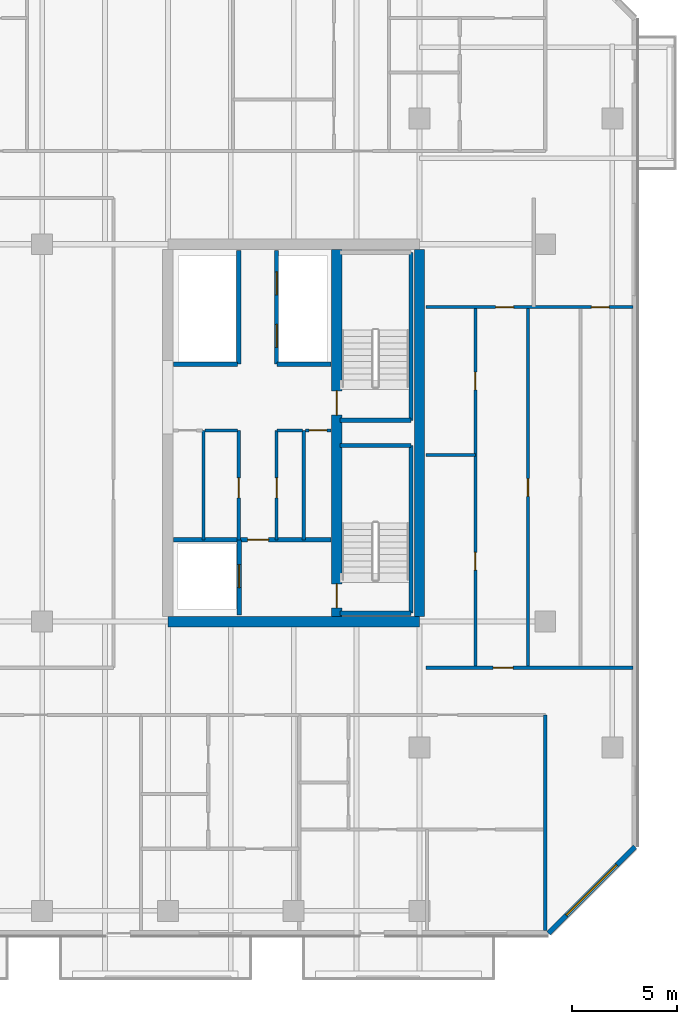
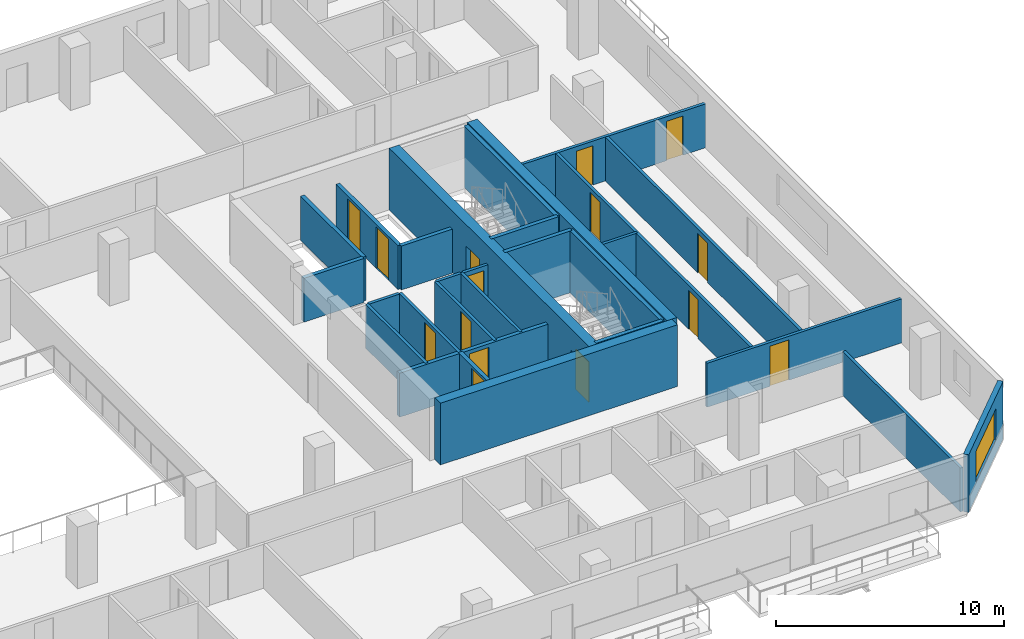
# One storey, part 15 of 23: 28 walls, 15 doors, 1 window, 16 openings.
"""IFC4 building model written with IfcOpenShell, lengths in metres."""

from ifc_helpers import new_model, si_unit, direction, frame, frame_2d, origin, place, context, subcontext, project, spatial, rectangle, extrude, material, layer, layer_set, type_object, element, fill, save


model = new_model("IFC4")

# Units and contexts
model_context = context("Model", 3, precision=1e-05, world=origin(), true_north=direction((0.0, 1.0)))
body_context = subcontext(model_context, "Body", "Model", "MODEL_VIEW")
ifc_project = project(units=[si_unit("LENGTHUNIT", "METRE"), si_unit("AREAUNIT", "SQUARE_METRE"), si_unit("VOLUMEUNIT", "CUBIC_METRE"), si_unit("PLANEANGLEUNIT", "RADIAN"), si_unit("MASSUNIT", "GRAM", prefix="KILO")], contexts=[model_context])

# Site, building, storey
site_placement = place(None, origin())
site = spatial("IfcSite", under=ifc_project, at=site_placement, CompositionType="ELEMENT")
building_placement = place(site_placement, origin())
building = spatial("IfcBuilding", under=site, at=building_placement, Name="Tanjung Sevakor Pilgrim Tower", CompositionType="ELEMENT")
storey_placement = place(building_placement, frame((0.0, 0.0, 88.77001953125)))
storey = spatial("IfcBuildingStorey", under=building, at=storey_placement, Name="L24", CompositionType="ELEMENT", Elevation=88.77001953125)

# Walls
ifc_material_1 = material(Name="Concrete C60/75", Category="concrete")
ifc_layer_1 = layer(ifc_material_1, 0.5)
ifc_layer_set_1 = layer_set([ifc_layer_1], Name="WALL-CW-500")
wall_type_1 = type_object("IfcWallType", Name="WALL-CW-500", PredefinedType="SHEAR", material=ifc_layer_set_1)
wall_1_placement = place(storey_placement, frame((78.0, 24.60009765625, 0.0), z_axis=(0.0, 0.0, 1.0), x_axis=(1.0, 0.0, 0.0)))
element("IfcWall", 1, at=wall_1_placement, inside=storey, type_object=wall_type_1, Name="L24 E Core South Shear Wall", PredefinedType="SHEAR", context=body_context, shape_type="SweptSolid", body=[
    extrude(rectangle(XDim=12.0, YDim=0.5, at=frame_2d((6.0, 0.0))), origin(), (0.0, 0.0, 1.0), 3.300048828125),
])
wall_2_placement = place(storey_placement, frame((90.0, 24.85009765625, 0.0), z_axis=(0.0, 0.0, 1.0), x_axis=(0.0, 1.0, 0.0)))
element("IfcWall", 2, at=wall_2_placement, inside=storey, type_object=wall_type_1, Name="L24 E Core Outer Shear Wall", PredefinedType="SHEAR", context=body_context, shape_type="SweptSolid", body=[
    extrude(rectangle(XDim=17.5, YDim=0.5, at=frame_2d((8.75, 0.0))), origin(), (0.0, 0.0, 1.0), 3.300048828125),
])

# Wall, openings, doors
wall_3_placement = place(storey_placement, frame((86.050048828125, 24.85009765625, 0.0), z_axis=(0.0, 0.0, 1.0), x_axis=(0.0, 1.0, 0.0)))
wall_3 = element("IfcWall", 3, at=wall_3_placement, inside=storey, type_object=wall_type_1, Name="L24 E Core Stair Spine Wall", PredefinedType="SHEAR", context=body_context, shape_type="SweptSolid", body=[
    extrude(rectangle(XDim=17.5, YDim=0.5, at=frame_2d((8.75, 0.0))), origin(), (0.0, 0.0, 1.0), 3.300048828125),
])
opening_1_placement = place(wall_3_placement, frame((0.39990234375, 0.0, 0.0)))
opening_1 = element("IfcOpeningElement", 4, at=opening_1_placement, cuts=wall_3, Name="Opening ID-ST1", PredefinedType="OPENING", context=body_context, shape_type="SweptSolid", body=[
    extrude(rectangle(XDim=1.14990234375, YDim=2.14990234375, at=frame_2d((0.574951171875, 1.074951171875))), frame((0.0, 0.260009765625, 0.0), z_axis=(0.0, -1.0, 0.0), x_axis=(1.0, 0.0, 0.0)), (0.0, 0.0, 1.0), 0.52001953125),
])
opening_2_placement = place(wall_3_placement, frame((9.60009765625, 0.0, 0.0)))
opening_2 = element("IfcOpeningElement", 5, at=opening_2_placement, cuts=wall_3, Name="Opening ID-ST1", PredefinedType="OPENING", context=body_context, shape_type="SweptSolid", body=[
    extrude(rectangle(XDim=1.14990234375, YDim=2.14990234375, at=frame_2d((0.574951171875, 1.074951171875))), frame((0.0, 0.260009765625, 0.0), z_axis=(0.0, -1.0, 0.0), x_axis=(1.0, 0.0, 0.0)), (0.0, 0.0, 1.0), 0.52001953125),
])
ifc_material_2 = material(Name="Fire-Rated Steel S355J2", Category="steel")
door_type_1 = type_object("IfcDoorType", Name="DT-FIRE-1150", OperationType="NOTDEFINED", PredefinedType="DOOR", material=ifc_material_2)
door_1_placement = place(opening_1_placement, origin())
door_1 = element("IfcDoor", 6, at=door_1_placement, inside=storey, type_object=door_type_1, Name="L24 TS-E1 Stair Fire Door", OperationType="SINGLE_SWING_LEFT", OverallHeight=2.14990234375, OverallWidth=1.14990234375, PredefinedType="DOOR", context=body_context, shape_type="SweptSolid", body=[
    extrude(rectangle(XDim=1.14990234375, YDim=2.14990234375, at=frame_2d((0.574951171875, 1.074951171875))), frame((0.0, 0.02490234375, 0.0), z_axis=(0.0, -1.0, 0.0), x_axis=(1.0, 0.0, 0.0)), (0.0, 0.0, 1.0), 0.050048828125),
])
fill(opening_1, door_1)
door_2_placement = place(opening_2_placement, origin())
door_2 = element("IfcDoor", 7, at=door_2_placement, inside=storey, type_object=door_type_1, Name="L24 TS-E2 Stair Fire Door", OperationType="SINGLE_SWING_RIGHT", OverallHeight=2.14990234375, OverallWidth=1.14990234375, PredefinedType="DOOR", context=body_context, shape_type="SweptSolid", body=[
    extrude(rectangle(XDim=1.14990234375, YDim=2.14990234375, at=frame_2d((0.574951171875, 1.074951171875))), frame((0.0, 0.02490234375, 0.0), z_axis=(0.0, -1.0, 0.0), x_axis=(1.0, 0.0, 0.0)), (0.0, 0.0, 1.0), 0.050048828125),
])
fill(opening_2, door_2)

# Wall
ifc_material_3 = material(Name="Concrete C40/50", Category="concrete")
ifc_layer_2 = layer(ifc_material_3, 0.14990234375)
ifc_layer_set_2 = layer_set([ifc_layer_2], Name="WT-COMP-150")
wall_type_2 = type_object("IfcWallType", Name="WT-COMP-150", PredefinedType="SOLIDWALL", material=ifc_layer_set_2)
wall_4_placement = place(storey_placement, frame((84.47998046875, 28.5, 0.0), z_axis=(0.0, 0.0, 1.0), x_axis=(0.0, 1.0, 0.0)))
element("IfcWall", 8, at=wall_4_placement, inside=storey, type_object=wall_type_2, Name="L24 Partition IW-L24-017", PredefinedType="SOLIDWALL", context=body_context, shape_type="SweptSolid", body=[
    extrude(rectangle(XDim=5.219970703125, YDim=0.14990234375, at=frame_2d((2.60986328125, 0.0))), origin(), (0.0, 0.0, 1.0), 2.35009765625),
])

# Wall, opening, door
wall_5_placement = place(storey_placement, frame((84.550048828125, 33.719970703125, 0.0), z_axis=(0.0, 0.0, 1.0), x_axis=(1.0, 0.0, 0.0)))
wall_5 = element("IfcWall", 9, at=wall_5_placement, inside=storey, type_object=wall_type_2, Name="L24 Partition IW-L24-018", PredefinedType="SOLIDWALL", context=body_context, shape_type="SweptSolid", body=[
    extrude(rectangle(XDim=1.22998046875, YDim=0.14990234375, at=frame_2d((0.614990234375, 0.0))), origin(), (0.0, 0.0, 1.0), 2.35009765625),
])
opening_3_placement = place(wall_5_placement, frame((0.179931640625, 0.0, 0.0)))
opening_3 = element("IfcOpeningElement", 10, at=opening_3_placement, cuts=wall_5, Name="Opening ID-FD3", PredefinedType="OPENING", context=body_context, shape_type="SweptSolid", body=[
    extrude(rectangle(XDim=0.85009765625, YDim=2.10009765625, at=frame_2d((0.425048828125, 1.050048828125))), frame((0.0, 0.0849609375, 0.0), z_axis=(0.0, -1.0, 0.0), x_axis=(1.0, 0.0, 0.0)), (0.0, 0.0, 1.0), 0.169921875),
])
ifc_material_4 = material(Name="Fire-Rated Timber", Category="wood")
door_type_2 = type_object("IfcDoorType", Name="DT-FIRE-850", OperationType="NOTDEFINED", PredefinedType="DOOR", material=ifc_material_4)
door_3_placement = place(opening_3_placement, origin())
door_3 = element("IfcDoor", 11, at=door_3_placement, inside=storey, type_object=door_type_2, Name="L24 Cleaner Store Door", OperationType="SINGLE_SWING_LEFT", OverallHeight=2.10009765625, OverallWidth=0.85009765625, PredefinedType="DOOR", context=body_context, shape_type="SweptSolid", body=[
    extrude(rectangle(XDim=0.85009765625, YDim=2.10009765625, at=frame_2d((0.425048828125, 1.050048828125))), frame((0.0, 0.02490234375, 0.0), z_axis=(0.0, -1.0, 0.0), x_axis=(1.0, 0.0, 0.0)), (0.0, 0.0, 1.0), 0.050048828125),
])
fill(opening_3, door_3)

# Wall
wall_6_placement = place(storey_placement, frame((83.199951171875, 33.719970703125, 0.0), z_axis=(0.0, 0.0, 1.0), x_axis=(1.0, 0.0, 0.0)))
element("IfcWall", 12, at=wall_6_placement, inside=storey, type_object=wall_type_2, Name="L24 Partition IW-L24-019", PredefinedType="SOLIDWALL", context=body_context, shape_type="SweptSolid", body=[
    extrude(rectangle(XDim=1.219970703125, YDim=0.14990234375, at=frame_2d((0.60986328125, 0.0))), origin(), (0.0, 0.0, 1.0), 2.35009765625),
])

# Wall, opening, door
wall_7_placement = place(storey_placement, frame((83.179931640625, 28.5, 0.0), z_axis=(0.0, 0.0, 1.0), x_axis=(0.0, 1.0, 0.0)))
wall_7 = element("IfcWall", 13, at=wall_7_placement, inside=storey, type_object=wall_type_2, Name="L24 Partition IW-L24-020", PredefinedType="SOLIDWALL", context=body_context, shape_type="SweptSolid", body=[
    extrude(rectangle(XDim=5.219970703125, YDim=0.14990234375, at=frame_2d((2.60986328125, 0.0))), origin(), (0.0, 0.0, 1.0), 2.35009765625),
])
opening_4_placement = place(wall_7_placement, frame((2.0, 0.0, 0.0)))
opening_4 = element("IfcOpeningElement", 14, at=opening_4_placement, cuts=wall_7, Name="Opening ID-FD2", PredefinedType="OPENING", context=body_context, shape_type="SweptSolid", body=[
    extrude(rectangle(XDim=0.949951171875, YDim=2.14990234375, at=frame_2d((0.47509765625, 1.074951171875))), frame((0.0, 0.0849609375, 0.0), z_axis=(0.0, -1.0, 0.0), x_axis=(1.0, 0.0, 0.0)), (0.0, 0.0, 1.0), 0.169921875),
])
ifc_material_5 = material(Name="Fire-Rated Timber", Category="wood")
door_type_3 = type_object("IfcDoorType", Name="DT-FIRE-950", OperationType="NOTDEFINED", PredefinedType="DOOR", material=ifc_material_5)
door_4_placement = place(opening_4_placement, origin())
door_4 = element("IfcDoor", 15, at=door_4_placement, inside=storey, type_object=door_type_3, Name="L24 Housekeeping Pantry Door", OperationType="SINGLE_SWING_RIGHT", OverallHeight=2.14990234375, OverallWidth=0.949951171875, PredefinedType="DOOR", context=body_context, shape_type="SweptSolid", body=[
    extrude(rectangle(XDim=0.949951171875, YDim=2.14990234375, at=frame_2d((0.47509765625, 1.074951171875))), frame((0.0, 0.02490234375, 0.0), z_axis=(0.0, -1.0, 0.0), x_axis=(1.0, 0.0, 0.0)), (0.0, 0.0, 1.0), 0.050048828125),
])
fill(opening_4, door_4)

# Walls
wall_8_placement = place(storey_placement, frame((79.699951171875, 28.5, 0.0), z_axis=(0.0, 0.0, 1.0), x_axis=(0.0, 1.0, 0.0)))
element("IfcWall", 16, at=wall_8_placement, inside=storey, type_object=wall_type_2, Name="L24 Partition IW-L24-021", PredefinedType="SOLIDWALL", context=body_context, shape_type="SweptSolid", body=[
    extrude(rectangle(XDim=5.219970703125, YDim=0.14990234375, at=frame_2d((2.60986328125, 0.0))), origin(), (0.0, 0.0, 1.0), 2.35009765625),
])
wall_9_placement = place(storey_placement, frame((79.760009765625, 33.719970703125, 0.0), z_axis=(0.0, 0.0, 1.0), x_axis=(1.0, 0.0, 0.0)))
element("IfcWall", 17, at=wall_9_placement, inside=storey, type_object=wall_type_2, Name="L24 Partition IW-L24-022", PredefinedType="SOLIDWALL", context=body_context, shape_type="SweptSolid", body=[
    extrude(rectangle(XDim=1.56005859375, YDim=0.14990234375, at=frame_2d((0.780029296875, 0.0))), origin(), (0.0, 0.0, 1.0), 2.35009765625),
])

# Wall, opening, door
wall_10_placement = place(storey_placement, frame((81.3798828125, 28.5, 0.0), z_axis=(0.0, 0.0, 1.0), x_axis=(0.0, 1.0, 0.0)))
wall_10 = element("IfcWall", 18, at=wall_10_placement, inside=storey, type_object=wall_type_2, Name="L24 Partition IW-L24-024", PredefinedType="SOLIDWALL", context=body_context, shape_type="SweptSolid", body=[
    extrude(rectangle(XDim=5.219970703125, YDim=0.14990234375, at=frame_2d((2.60986328125, 0.0))), origin(), (0.0, 0.0, 1.0), 2.35009765625),
])
opening_5_placement = place(wall_10_placement, frame((2.0, 0.0, 0.0)))
opening_5 = element("IfcOpeningElement", 19, at=opening_5_placement, cuts=wall_10, Name="Opening ID-FD2", PredefinedType="OPENING", context=body_context, shape_type="SweptSolid", body=[
    extrude(rectangle(XDim=0.949951171875, YDim=2.14990234375, at=frame_2d((0.47509765625, 1.074951171875))), frame((0.0, 0.0849609375, 0.0), z_axis=(0.0, -1.0, 0.0), x_axis=(1.0, 0.0, 0.0)), (0.0, 0.0, 1.0), 0.169921875),
])
door_5_placement = place(opening_5_placement, origin())
door_5 = element("IfcDoor", 20, at=door_5_placement, inside=storey, type_object=door_type_3, Name="L24 Accessible WC Door", OperationType="SINGLE_SWING_RIGHT", OverallHeight=2.14990234375, OverallWidth=0.949951171875, PredefinedType="DOOR", context=body_context, shape_type="SweptSolid", body=[
    extrude(rectangle(XDim=0.949951171875, YDim=2.14990234375, at=frame_2d((0.47509765625, 1.074951171875))), frame((0.0, 0.02490234375, 0.0), z_axis=(0.0, -1.0, 0.0), x_axis=(1.0, 0.0, 0.0)), (0.0, 0.0, 1.0), 0.050048828125),
])
fill(opening_5, door_5)

wall_11_placement = place(storey_placement, frame((90.320068359375, 22.39990234375, 0.0), z_axis=(0.0, 0.0, 1.0), x_axis=(1.0, 0.0, 0.0)))
wall_11 = element("IfcWall", 21, at=wall_11_placement, inside=storey, type_object=wall_type_2, Name="L24 Partition IW-L24-044", PredefinedType="SOLIDWALL", context=body_context, shape_type="SweptSolid", body=[
    extrude(rectangle(XDim=9.869873046875, YDim=0.14990234375, at=frame_2d((4.93505859375, 0.0))), origin(), (0.0, 0.0, 1.0), 2.35009765625),
])
opening_6_placement = place(wall_11_placement, frame((3.193359375, 0.0, 0.0)))
opening_6 = element("IfcOpeningElement", 22, at=opening_6_placement, cuts=wall_11, Name="Opening ID-FD2", PredefinedType="OPENING", context=body_context, shape_type="SweptSolid", body=[
    extrude(rectangle(XDim=0.949951171875, YDim=2.14990234375, at=frame_2d((0.47509765625, 1.074951171875))), frame((0.0, 0.0849609375, 0.0), z_axis=(0.0, -1.0, 0.0), x_axis=(1.0, 0.0, 0.0)), (0.0, 0.0, 1.0), 0.169921875),
])
door_6_placement = place(opening_6_placement, origin())
door_6 = element("IfcDoor", 23, at=door_6_placement, inside=storey, type_object=door_type_3, Name="Suite Entrance", OperationType="SINGLE_SWING_RIGHT", OverallHeight=2.14990234375, OverallWidth=0.949951171875, PredefinedType="DOOR", context=body_context, shape_type="SweptSolid", body=[
    extrude(rectangle(XDim=0.949951171875, YDim=2.14990234375, at=frame_2d((0.47509765625, 1.074951171875))), frame((0.0, 0.02490234375, 0.0), z_axis=(0.0, -1.0, 0.0), x_axis=(1.0, 0.0, 0.0)), (0.0, 0.0, 1.0), 0.050048828125),
])
fill(opening_6, door_6)

# Wall
wall_12_placement = place(storey_placement, frame((96.0, 9.85009765625, 0.0), z_axis=(0.0, 0.0, 1.0), x_axis=(0.0, 1.0, 0.0)))
element("IfcWall", 24, at=wall_12_placement, inside=storey, type_object=wall_type_2, Name="L24 Partition IW-L24-064", PredefinedType="SOLIDWALL", context=body_context, shape_type="SweptSolid", body=[
    extrude(rectangle(XDim=10.2998046875, YDim=0.14990234375, at=frame_2d((5.14990234375, 0.0))), origin(), (0.0, 0.0, 1.0), 2.35009765625),
])

# Wall, opening, window
ifc_material_6 = material(Name="Precast concrete C45/55", Category="concrete")
ifc_layer_3 = layer(ifc_material_6, 0.25)
ifc_layer_set_3 = layer_set([ifc_layer_3], Name="WT-EW-STN3")
wall_type_3 = type_object("IfcWallType", Name="WT-EW-STN3", PredefinedType="SOLIDWALL", material=ifc_layer_set_3)
wall_13_placement = place(storey_placement, frame((96.148193359375, 9.72509765625, 0.0), z_axis=(0.0, 0.0, 1.0), x_axis=(0.707106781187, 0.707106781187, 0.0)))
wall_13 = element("IfcWall", 25, at=wall_13_placement, inside=storey, type_object=wall_type_3, Name="L24 MAIN Sculpted Corner Wall 5", PredefinedType="SOLIDWALL", context=body_context, shape_type="SweptSolid", body=[
    extrude(rectangle(XDim=5.8359375, YDim=0.25, at=frame_2d((2.91796875, 0.0))), origin(), (0.0, 0.0, 1.0), 3.080078125),
])
opening_7_placement = place(wall_13_placement, frame((1.218017578125, 0.0, 0.780029296875)))
opening_7 = element("IfcOpeningElement", 26, at=opening_7_placement, cuts=wall_13, Name="Opening WN-CHM-1660", PredefinedType="OPENING", context=body_context, shape_type="SweptSolid", body=[
    extrude(rectangle(XDim=3.39990234375, YDim=1.659912109375, at=frame_2d((1.699951171875, 0.830078125))), frame((0.0, 0.135009765625, 0.0), z_axis=(0.0, -1.0, 0.0), x_axis=(1.0, 0.0, 0.0)), (0.0, 0.0, 1.0), 0.27001953125),
])
ifc_material_7 = material(Name="Thermally Broken Aluminium and Low-E Glass", Category="aluminium")
window_type = type_object("IfcWindowType", Name="WTYP-WN-CHM-1660", PartitioningType="DOUBLE_PANEL_VERTICAL", PredefinedType="WINDOW", material=ifc_material_7)
window_placement = place(opening_7_placement, origin())
window = element("IfcWindow", 27, at=window_placement, inside=storey, type_object=window_type, Name="L24 Facade Window 01", OverallHeight=1.659912109375, OverallWidth=3.39990234375, PartitioningType="SINGLE_PANEL", PredefinedType="WINDOW", context=body_context, shape_type="SweptSolid", body=[
    extrude(rectangle(XDim=3.39990234375, YDim=1.659912109375, at=frame_2d((1.699951171875, 0.830078125))), frame((0.0, 0.030029296875, 0.0), z_axis=(0.0, -1.0, 0.0), x_axis=(1.0, 0.0, 0.0)), (0.0, 0.0, 1.0), 0.06005859375),
])
fill(opening_7, window)

# Walls
ifc_material_8 = material(Name="Concrete C40/50", Category="concrete")
ifc_layer_4 = layer(ifc_material_8, 0.199951171875)
ifc_layer_set_4 = layer_set([ifc_layer_4], Name="WT-FIRE-200")
wall_type_4 = type_object("IfcWallType", Name="WT-FIRE-200", PredefinedType="SOLIDWALL", material=ifc_layer_set_4)
wall_14_placement = place(storey_placement, frame((86.199951171875, 25.0, 0.0), z_axis=(0.0, 0.0, 1.0), x_axis=(1.0, 0.0, 0.0)))
element("IfcWall", 28, at=wall_14_placement, inside=storey, type_object=wall_type_4, Name="L24 TS-E1 Shaft Wall 1", PredefinedType="SOLIDWALL", context=body_context, shape_type="SweptSolid", body=[
    extrude(rectangle(XDim=3.400146484375, YDim=0.199951171875, at=frame_2d((1.7001953125, 0.0))), origin(), (0.0, 0.0, 1.0), 3.300048828125),
])
wall_15_placement = place(storey_placement, frame((89.60009765625, 25.0, 0.0), z_axis=(0.0, 0.0, 1.0), x_axis=(0.0, 1.0, 0.0)))
element("IfcWall", 29, at=wall_15_placement, inside=storey, type_object=wall_type_4, Name="L24 TS-E1 Shaft Wall 2", PredefinedType="SOLIDWALL", context=body_context, shape_type="SweptSolid", body=[
    extrude(rectangle(XDim=8.0, YDim=0.199951171875, at=frame_2d((4.0, 0.0))), origin(), (0.0, 0.0, 1.0), 3.300048828125),
])
for number, where, z_axis, x_axis, name in (
    (30, (89.60009765625, 33.0, 0.0), (0.0, 0.0, 1.0), (-1.0, 0.0, 0.0), "L24 TS-E1 Shaft Wall 3"),
    (31, (86.199951171875, 34.199951171875, 0.0), (0.0, 0.0, 1.0), (1.0, 0.0, 0.0), "L24 TS-E2 Shaft Wall 1"),
):
    element("IfcWall", number, at=place(storey_placement, frame(where, z_axis=z_axis, x_axis=x_axis)), inside=storey, type_object=wall_type_4, Name=name, PredefinedType="SOLIDWALL", context=body_context, shape_type="SweptSolid", body=[
        extrude(rectangle(XDim=3.400146484375, YDim=0.199951171875, at=frame_2d((1.7001953125, 0.0))), origin(), (0.0, 0.0, 1.0), 3.300048828125),
    ])
wall_16_placement = place(storey_placement, frame((89.60009765625, 34.199951171875, 0.0), z_axis=(0.0, 0.0, 1.0), x_axis=(0.0, 1.0, 0.0)))
element("IfcWall", 32, at=wall_16_placement, inside=storey, type_object=wall_type_4, Name="L24 TS-E2 Shaft Wall 2", PredefinedType="SOLIDWALL", context=body_context, shape_type="SweptSolid", body=[
    extrude(rectangle(XDim=8.0, YDim=0.199951171875, at=frame_2d((4.0, 0.0))), origin(), (0.0, 0.0, 1.0), 3.300048828125),
])

# Wall, opening, door
ifc_material_9 = material(Name="Concrete C40/50", Category="concrete")
ifc_layer_5 = layer(ifc_material_9, 0.199951171875)
ifc_layer_set_5 = layer_set([ifc_layer_5], Name="WT-FPRT-200")
wall_type_5 = type_object("IfcWallType", Name="WT-FPRT-200", PredefinedType="SOLIDWALL", material=ifc_layer_set_5)
wall_17_placement = place(storey_placement, frame((81.39990234375, 24.919921875, 0.0), z_axis=(0.0, 0.0, 1.0), x_axis=(0.0, 1.0, 0.0)))
wall_17 = element("IfcWall", 33, at=wall_17_placement, inside=storey, type_object=wall_type_5, Name="L24 Partition IW-L24-015", PredefinedType="SOLIDWALL", context=body_context, shape_type="SweptSolid", body=[
    extrude(rectangle(XDim=3.580078125, YDim=0.199951171875, at=frame_2d((1.7900390625, 0.0))), origin(), (0.0, 0.0, 1.0), 2.35009765625),
])
opening_8_placement = place(wall_17_placement, frame((1.300048828125, 0.0, 0.0)))
opening_8 = element("IfcOpeningElement", 34, at=opening_8_placement, cuts=wall_17, Name="Opening LD-1100", PredefinedType="OPENING", context=body_context, shape_type="SweptSolid", body=[
    extrude(rectangle(XDim=1.10009765625, YDim=2.199951171875, at=frame_2d((0.550048828125, 1.10009765625))), frame((0.0, 0.10986328125, 0.0), z_axis=(0.0, -1.0, 0.0), x_axis=(1.0, 0.0, 0.0)), (0.0, 0.0, 1.0), 0.219970703125),
])
ifc_material_10 = material(Name="Brushed Stainless Steel S355J2", Category="steel")
door_type_4 = type_object("IfcDoorType", Name="DT-LIFT-1100", OperationType="SLIDING_TO_LEFT", PredefinedType="DOOR", material=ifc_material_10)
door_7_placement = place(opening_8_placement, origin())
door_7 = element("IfcDoor", 35, at=door_7_placement, inside=storey, type_object=door_type_4, Name="LD-FL-E", OperationType="SLIDING_TO_LEFT", OverallHeight=2.199951171875, OverallWidth=1.10009765625, PredefinedType="DOOR", context=body_context, shape_type="SweptSolid", body=[
    extrude(rectangle(XDim=1.10009765625, YDim=2.199951171875, at=frame_2d((0.550048828125, 1.10009765625))), frame((0.0, 0.02490234375, 0.0), z_axis=(0.0, -1.0, 0.0), x_axis=(1.0, 0.0, 0.0)), (0.0, 0.0, 1.0), 0.050048828125),
])
fill(opening_8, door_7)

wall_18_placement = place(storey_placement, frame((78.27001953125, 28.5, 0.0), z_axis=(0.0, 0.0, 1.0), x_axis=(1.0, 0.0, 0.0)))
wall_18 = element("IfcWall", 36, at=wall_18_placement, inside=storey, type_object=wall_type_5, Name="L24 Partition IW-L24-016", PredefinedType="SOLIDWALL", context=body_context, shape_type="SweptSolid", body=[
    extrude(rectangle(XDim=7.510009765625, YDim=0.199951171875, at=frame_2d((3.7548828125, 0.0))), origin(), (0.0, 0.0, 1.0), 2.35009765625),
])
opening_9_placement = place(wall_18_placement, frame((3.530029296875, 0.0, 0.0)))
opening_9 = element("IfcOpeningElement", 37, at=opening_9_placement, cuts=wall_18, Name="Opening ID-FD1", PredefinedType="OPENING", context=body_context, shape_type="SweptSolid", body=[
    extrude(rectangle(XDim=1.0, YDim=2.14990234375, at=frame_2d((0.5, 1.074951171875))), frame((0.0, 0.10986328125, 0.0), z_axis=(0.0, -1.0, 0.0), x_axis=(1.0, 0.0, 0.0)), (0.0, 0.0, 1.0), 0.219970703125),
])
ifc_material_11 = material(Name="Fire-Rated Steel S355J2", Category="steel")
door_type_5 = type_object("IfcDoorType", Name="DT-FIRE-1000", OperationType="NOTDEFINED", PredefinedType="DOOR", material=ifc_material_11)
door_8_placement = place(opening_9_placement, origin())
door_8 = element("IfcDoor", 38, at=door_8_placement, inside=storey, type_object=door_type_5, Name="Fire Lobby Door E", OperationType="SINGLE_SWING_RIGHT", OverallHeight=2.14990234375, OverallWidth=1.0, PredefinedType="DOOR", context=body_context, shape_type="SweptSolid", body=[
    extrude(rectangle(XDim=1.0, YDim=2.14990234375, at=frame_2d((0.5, 1.074951171875))), frame((0.0, 0.02490234375, 0.0), z_axis=(0.0, -1.0, 0.0), x_axis=(1.0, 0.0, 0.0)), (0.0, 0.0, 1.0), 0.050048828125),
])
fill(opening_9, door_8)

# Wall
wall_19_placement = place(storey_placement, frame((83.199951171875, 36.8798828125, 0.0), z_axis=(0.0, 0.0, 1.0), x_axis=(1.0, 0.0, 0.0)))
element("IfcWall", 39, at=wall_19_placement, inside=storey, type_object=wall_type_5, Name="L24 Partition IW-L24-025", PredefinedType="SOLIDWALL", context=body_context, shape_type="SweptSolid", body=[
    extrude(rectangle(XDim=2.580078125, YDim=0.199951171875, at=frame_2d((1.2900390625, 0.0))), origin(), (0.0, 0.0, 1.0), 2.35009765625),
])

# Wall, openings, doors
wall_20_placement = place(storey_placement, frame((83.179931640625, 36.8798828125, 0.0), z_axis=(0.0, 0.0, 1.0), x_axis=(0.0, 1.0, 0.0)))
wall_20 = element("IfcWall", 40, at=wall_20_placement, inside=storey, type_object=wall_type_5, Name="L24 Partition IW-L24-026", PredefinedType="SOLIDWALL", context=body_context, shape_type="SweptSolid", body=[
    extrude(rectangle(XDim=5.420166015625, YDim=0.199951171875, at=frame_2d((2.7099609375, 0.0))), origin(), (0.0, 0.0, 1.0), 2.35009765625),
])
opening_10_placement = place(wall_20_placement, frame((0.800048828125, 0.0, 0.0)))
opening_10 = element("IfcOpeningElement", 41, at=opening_10_placement, cuts=wall_20, Name="Opening LD-1100", PredefinedType="OPENING", context=body_context, shape_type="SweptSolid", body=[
    extrude(rectangle(XDim=1.10009765625, YDim=2.199951171875, at=frame_2d((0.550048828125, 1.10009765625))), frame((0.0, 0.10986328125, 0.0), z_axis=(0.0, -1.0, 0.0), x_axis=(1.0, 0.0, 0.0)), (0.0, 0.0, 1.0), 0.219970703125),
])
opening_11_placement = place(wall_20_placement, frame((3.300048828125, 0.0, 0.0)))
opening_11 = element("IfcOpeningElement", 42, at=opening_11_placement, cuts=wall_20, Name="Opening LD-1100", PredefinedType="OPENING", context=body_context, shape_type="SweptSolid", body=[
    extrude(rectangle(XDim=1.10009765625, YDim=2.199951171875, at=frame_2d((0.550048828125, 1.10009765625))), frame((0.0, 0.10986328125, 0.0), z_axis=(0.0, -1.0, 0.0), x_axis=(1.0, 0.0, 0.0)), (0.0, 0.0, 1.0), 0.219970703125),
])
door_9_placement = place(opening_10_placement, origin())
door_9 = element("IfcDoor", 43, at=door_9_placement, inside=storey, type_object=door_type_4, Name="LD-PLM1-E", OperationType="SLIDING_TO_LEFT", OverallHeight=2.199951171875, OverallWidth=1.10009765625, PredefinedType="DOOR", context=body_context, shape_type="SweptSolid", body=[
    extrude(rectangle(XDim=1.10009765625, YDim=2.199951171875, at=frame_2d((0.550048828125, 1.10009765625))), frame((0.0, 0.02490234375, 0.0), z_axis=(0.0, -1.0, 0.0), x_axis=(1.0, 0.0, 0.0)), (0.0, 0.0, 1.0), 0.050048828125),
])
fill(opening_10, door_9)
door_10_placement = place(opening_11_placement, origin())
door_10 = element("IfcDoor", 44, at=door_10_placement, inside=storey, type_object=door_type_4, Name="LD-PLM2-E", OperationType="SLIDING_TO_RIGHT", OverallHeight=2.199951171875, OverallWidth=1.10009765625, PredefinedType="DOOR", context=body_context, shape_type="SweptSolid", body=[
    extrude(rectangle(XDim=1.10009765625, YDim=2.199951171875, at=frame_2d((0.550048828125, 1.10009765625))), frame((0.0, 0.02490234375, 0.0), z_axis=(0.0, -1.0, 0.0), x_axis=(1.0, 0.0, 0.0)), (0.0, 0.0, 1.0), 0.050048828125),
])
fill(opening_11, door_10)

# Walls
wall_21_placement = place(storey_placement, frame((78.27001953125, 36.8798828125, 0.0), z_axis=(0.0, 0.0, 1.0), x_axis=(1.0, 0.0, 0.0)))
element("IfcWall", 45, at=wall_21_placement, inside=storey, type_object=wall_type_5, Name="L24 Partition IW-L24-027", PredefinedType="SOLIDWALL", context=body_context, shape_type="SweptSolid", body=[
    extrude(rectangle(XDim=3.050048828125, YDim=0.199951171875, at=frame_2d((1.52490234375, 0.0))), origin(), (0.0, 0.0, 1.0), 2.35009765625),
])
wall_22_placement = place(storey_placement, frame((81.3798828125, 36.8798828125, 0.0), z_axis=(0.0, 0.0, 1.0), x_axis=(0.0, 1.0, 0.0)))
element("IfcWall", 46, at=wall_22_placement, inside=storey, type_object=wall_type_5, Name="L24 Partition IW-L24-028", PredefinedType="SOLIDWALL", context=body_context, shape_type="SweptSolid", body=[
    extrude(rectangle(XDim=5.420166015625, YDim=0.199951171875, at=frame_2d((2.7099609375, 0.0))), origin(), (0.0, 0.0, 1.0), 2.35009765625),
])

# Wall, opening, door
ifc_material_12 = material(Name="Gypsum Board Partition", Category="gypsum board")
ifc_layer_6 = layer(ifc_material_12, 0.14990234375)
ifc_layer_set_6 = layer_set([ifc_layer_6], Name="WT-PART-150")
wall_type_6 = type_object("IfcWallType", Name="WT-PART-150", PredefinedType="PARTITIONING", material=ifc_layer_set_6)
wall_23_placement = place(storey_placement, frame((95.1767578125, 22.39990234375, 0.0), z_axis=(0.0, 0.0, 1.0), x_axis=(0.0, 1.0, 0.0)))
wall_23 = element("IfcWall", 47, at=wall_23_placement, inside=storey, type_object=wall_type_6, Name="L24 Partition IW-L24-038", PredefinedType="PARTITIONING", context=body_context, shape_type="SweptSolid", body=[
    extrude(rectangle(XDim=17.2001953125, YDim=0.14990234375, at=frame_2d((8.60009765625, 0.0))), origin(), (0.0, 0.0, 1.0), 2.35009765625),
])
opening_12_placement = place(wall_23_placement, frame((8.175048828125, 0.0, 0.0)))
opening_12 = element("IfcOpeningElement", 48, at=opening_12_placement, cuts=wall_23, Name="Opening ID-WC1", PredefinedType="OPENING", context=body_context, shape_type="SweptSolid", body=[
    extrude(rectangle(XDim=0.85009765625, YDim=2.10009765625, at=frame_2d((0.425048828125, 1.050048828125))), frame((0.0, 0.0849609375, 0.0), z_axis=(0.0, -1.0, 0.0), x_axis=(1.0, 0.0, 0.0)), (0.0, 0.0, 1.0), 0.169921875),
])
ifc_material_13 = material(Name="Moisture-Resistant Timber", Category="wood")
door_type_6 = type_object("IfcDoorType", Name="DT-INT-850", OperationType="NOTDEFINED", PredefinedType="DOOR", material=ifc_material_13)
door_11_placement = place(opening_12_placement, origin())
door_11 = element("IfcDoor", 49, at=door_11_placement, inside=storey, type_object=door_type_6, Name="Suite Study Room Door", OperationType="SINGLE_SWING_RIGHT", OverallHeight=2.10009765625, OverallWidth=0.85009765625, PredefinedType="DOOR", context=body_context, shape_type="SweptSolid", body=[
    extrude(rectangle(XDim=0.85009765625, YDim=2.10009765625, at=frame_2d((0.425048828125, 1.050048828125))), frame((0.0, 0.02490234375, 0.0), z_axis=(0.0, -1.0, 0.0), x_axis=(1.0, 0.0, 0.0)), (0.0, 0.0, 1.0), 0.050048828125),
])
fill(opening_12, door_11)

# Wall
wall_24_placement = place(storey_placement, frame((90.320068359375, 32.548095703125, 0.0), z_axis=(0.0, 0.0, 1.0), x_axis=(1.0, 0.0, 0.0)))
element("IfcWall", 50, at=wall_24_placement, inside=storey, type_object=wall_type_6, Name="L24 Partition IW-L24-040", PredefinedType="PARTITIONING", context=body_context, shape_type="SweptSolid", body=[
    extrude(rectangle(XDim=2.349853515625, YDim=0.14990234375, at=frame_2d((1.1748046875, 0.0))), origin(), (0.0, 0.0, 1.0), 2.35009765625),
])

# Wall, openings, doors
wall_25_placement = place(storey_placement, frame((92.669921875, 22.39990234375, 0.0), z_axis=(0.0, 0.0, 1.0), x_axis=(0.0, 1.0, 0.0)))
wall_25 = element("IfcWall", 51, at=wall_25_placement, inside=storey, type_object=wall_type_6, Name="L24 Partition IW-L24-041", PredefinedType="PARTITIONING", context=body_context, shape_type="SweptSolid", body=[
    extrude(rectangle(XDim=17.2001953125, YDim=0.14990234375, at=frame_2d((8.60009765625, 0.0))), origin(), (0.0, 0.0, 1.0), 2.35009765625),
])
opening_13_placement = place(wall_25_placement, frame((4.64892578125, 0.0, 0.0)))
opening_13 = element("IfcOpeningElement", 52, at=opening_13_placement, cuts=wall_25, Name="Opening ID-WC1", PredefinedType="OPENING", context=body_context, shape_type="SweptSolid", body=[
    extrude(rectangle(XDim=0.85009765625, YDim=2.10009765625, at=frame_2d((0.425048828125, 1.050048828125))), frame((0.0, 0.0849609375, 0.0), z_axis=(0.0, -1.0, 0.0), x_axis=(1.0, 0.0, 0.0)), (0.0, 0.0, 1.0), 0.169921875),
])
opening_14_placement = place(wall_25_placement, frame((13.2490234375, 0.0, 0.0)))
opening_14 = element("IfcOpeningElement", 53, at=opening_14_placement, cuts=wall_25, Name="Opening ID-WC1", PredefinedType="OPENING", context=body_context, shape_type="SweptSolid", body=[
    extrude(rectangle(XDim=0.85009765625, YDim=2.10009765625, at=frame_2d((0.425048828125, 1.050048828125))), frame((0.0, 0.0849609375, 0.0), z_axis=(0.0, -1.0, 0.0), x_axis=(1.0, 0.0, 0.0)), (0.0, 0.0, 1.0), 0.169921875),
])
door_12_placement = place(opening_13_placement, origin())
door_12 = element("IfcDoor", 54, at=door_12_placement, inside=storey, type_object=door_type_6, Name="Suite Kitchenette Door", OperationType="SINGLE_SWING_RIGHT", OverallHeight=2.10009765625, OverallWidth=0.85009765625, PredefinedType="DOOR", context=body_context, shape_type="SweptSolid", body=[
    extrude(rectangle(XDim=0.85009765625, YDim=2.10009765625, at=frame_2d((0.425048828125, 1.050048828125))), frame((0.0, 0.02490234375, 0.0), z_axis=(0.0, -1.0, 0.0), x_axis=(1.0, 0.0, 0.0)), (0.0, 0.0, 1.0), 0.050048828125),
])
fill(opening_13, door_12)
door_13_placement = place(opening_14_placement, origin())
door_13 = element("IfcDoor", 55, at=door_13_placement, inside=storey, type_object=door_type_6, Name="Suite Bathroom Door", OperationType="SINGLE_SWING_LEFT", OverallHeight=2.10009765625, OverallWidth=0.85009765625, PredefinedType="DOOR", context=body_context, shape_type="SweptSolid", body=[
    extrude(rectangle(XDim=0.85009765625, YDim=2.10009765625, at=frame_2d((0.425048828125, 1.050048828125))), frame((0.0, 0.02490234375, 0.0), z_axis=(0.0, -1.0, 0.0), x_axis=(1.0, 0.0, 0.0)), (0.0, 0.0, 1.0), 0.050048828125),
])
fill(opening_14, door_13)

wall_26_placement = place(storey_placement, frame((90.320068359375, 39.60009765625, 0.0), z_axis=(0.0, 0.0, 1.0), x_axis=(1.0, 0.0, 0.0)))
wall_26 = element("IfcWall", 56, at=wall_26_placement, inside=storey, type_object=wall_type_6, Name="L24 Partition IW-L24-043", PredefinedType="PARTITIONING", context=body_context, shape_type="SweptSolid", body=[
    extrude(rectangle(XDim=9.869873046875, YDim=0.14990234375, at=frame_2d((4.93505859375, 0.0))), origin(), (0.0, 0.0, 1.0), 2.35009765625),
])
opening_15_placement = place(wall_26_placement, frame((3.316162109375, 0.0, 0.0)))
opening_15 = element("IfcOpeningElement", 57, at=opening_15_placement, cuts=wall_26, Name="Opening ID-WC1", PredefinedType="OPENING", context=body_context, shape_type="SweptSolid", body=[
    extrude(rectangle(XDim=0.85009765625, YDim=2.10009765625, at=frame_2d((0.425048828125, 1.050048828125))), frame((0.0, 0.0849609375, 0.0), z_axis=(0.0, -1.0, 0.0), x_axis=(1.0, 0.0, 0.0)), (0.0, 0.0, 1.0), 0.169921875),
])
opening_16_placement = place(wall_26_placement, frame((7.876220703125, 0.0, 0.0)))
opening_16 = element("IfcOpeningElement", 58, at=opening_16_placement, cuts=wall_26, Name="Opening ID-WC1", PredefinedType="OPENING", context=body_context, shape_type="SweptSolid", body=[
    extrude(rectangle(XDim=0.85009765625, YDim=2.10009765625, at=frame_2d((0.425048828125, 1.050048828125))), frame((0.0, 0.0849609375, 0.0), z_axis=(0.0, -1.0, 0.0), x_axis=(1.0, 0.0, 0.0)), (0.0, 0.0, 1.0), 0.169921875),
])
door_14_placement = place(opening_15_placement, origin())
door_14 = element("IfcDoor", 59, at=door_14_placement, inside=storey, type_object=door_type_6, Name="Suite Bedroom 1 Door", OperationType="SINGLE_SWING_RIGHT", OverallHeight=2.10009765625, OverallWidth=0.85009765625, PredefinedType="DOOR", context=body_context, shape_type="SweptSolid", body=[
    extrude(rectangle(XDim=0.85009765625, YDim=2.10009765625, at=frame_2d((0.425048828125, 1.050048828125))), frame((0.0, 0.02490234375, 0.0), z_axis=(0.0, -1.0, 0.0), x_axis=(1.0, 0.0, 0.0)), (0.0, 0.0, 1.0), 0.050048828125),
])
fill(opening_15, door_14)
door_15_placement = place(opening_16_placement, origin())
door_15 = element("IfcDoor", 60, at=door_15_placement, inside=storey, type_object=door_type_6, Name="Suite Bedroom 2 Door", OperationType="SINGLE_SWING_LEFT", OverallHeight=2.10009765625, OverallWidth=0.85009765625, PredefinedType="DOOR", context=body_context, shape_type="SweptSolid", body=[
    extrude(rectangle(XDim=0.85009765625, YDim=2.10009765625, at=frame_2d((0.425048828125, 1.050048828125))), frame((0.0, 0.02490234375, 0.0), z_axis=(0.0, -1.0, 0.0), x_axis=(1.0, 0.0, 0.0)), (0.0, 0.0, 1.0), 0.050048828125),
])
fill(opening_16, door_15)

save(model, "model.ifc")
